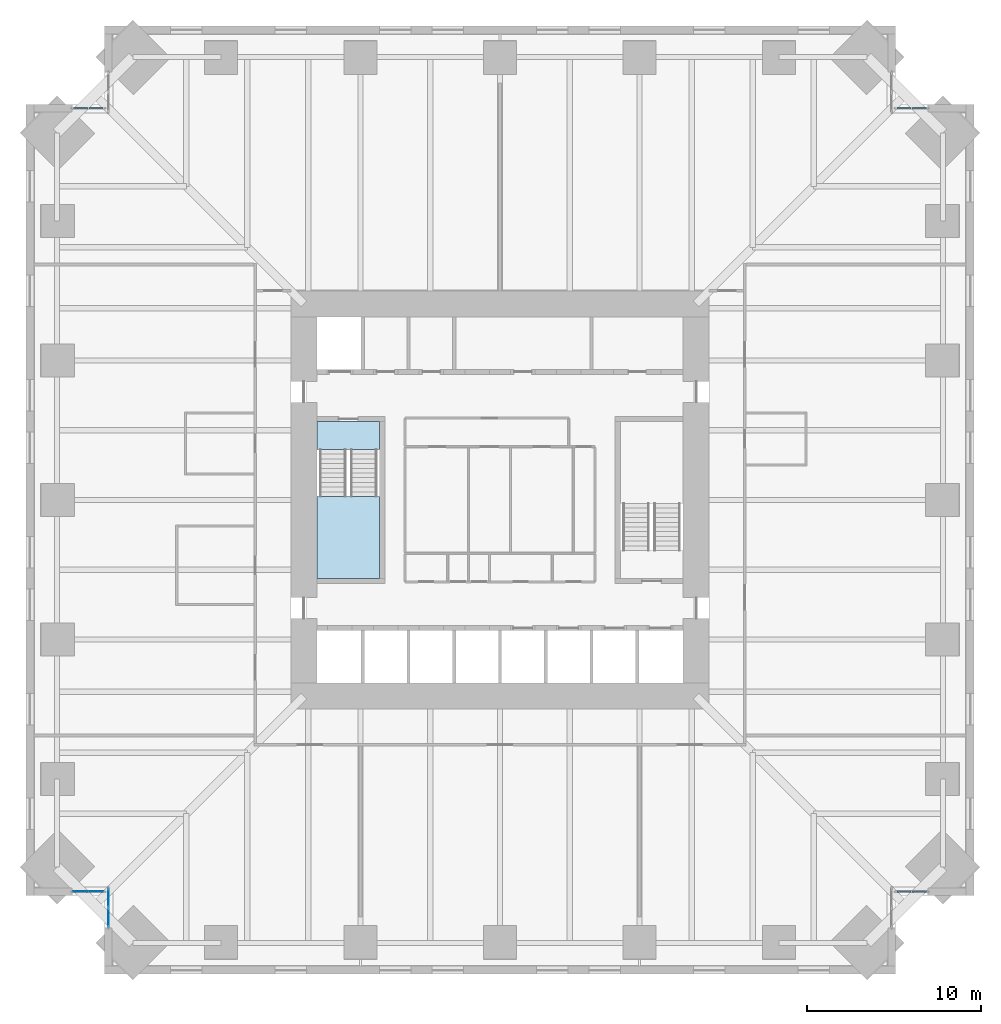
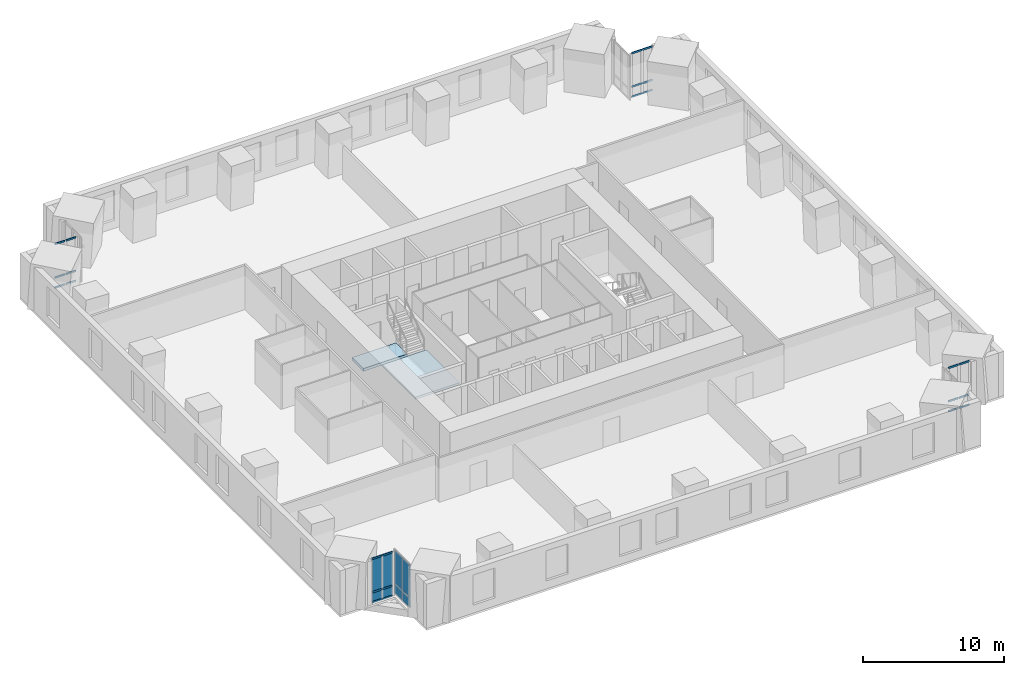
# One storey, part 9 of 16: 24 members, 8 plates, 2 slabs, 6 elements without a shape of their own.
"""IFC4 building model written with IfcOpenShell, lengths in metres."""

from ifc_helpers import new_model, si_unit, direction, frame, origin, origin_2d, place, context, subcontext, project, spatial, polyline, rectangle, hollow_rectangle, outline, extrude, material, layer, layer_set, material_profile, profile_set, type_object, element, aggregate, save


model = new_model("IFC4")

# Units and contexts
model_context = context("Model", 3, precision=1e-05, world=origin(), true_north=direction((0.0, 1.0)))
body_context = subcontext(model_context, "Body", "Model", "MODEL_VIEW")
ifc_project = project(units=[si_unit("LENGTHUNIT", "METRE"), si_unit("AREAUNIT", "SQUARE_METRE"), si_unit("VOLUMEUNIT", "CUBIC_METRE"), si_unit("PLANEANGLEUNIT", "RADIAN"), si_unit("MASSUNIT", "GRAM", prefix="KILO")], contexts=[model_context])

# Site, building, storey
site_placement = place(None, origin())
site = spatial("IfcSite", under=ifc_project, at=site_placement, CompositionType="ELEMENT")
building_placement = place(site_placement, origin())
building = spatial("IfcBuilding", under=site, at=building_placement, Name="Peilmerk Tower", CompositionType="ELEMENT")
storey_placement = place(building_placement, frame((0.0, 0.0, 135.800048828125)))
storey = spatial("IfcBuildingStorey", under=building, at=storey_placement, Name="L27", CompositionType="ELEMENT", Elevation=135.800048828125)

# Curtain wall, members
ifc_material_1 = material(Name="Aluminium stick curtain wall", Category="aluminium")
curtain_wall_type = type_object("IfcCurtainWallType", Name="CW3 stick curtain wall, 2250 module", PredefinedType="NOTDEFINED", material=ifc_material_1)
curtain_wall_1_placement = place(storey_placement, origin())
curtain_wall_1 = element("IfcCurtainWall", 1, at=curtain_wall_1_placement, inside=storey, type_object=curtain_wall_type, Name="Curtain wall CW3 NEB L27", PredefinedType="NOTDEFINED")
ifc_material_2 = material(Name="Aluminium EN AW-6063 T6", Category="aluminium")
ifc_material_profile = material_profile(ifc_material_2, hollow_rectangle(XDim=0.06494140625, YDim=0.14990234375, WallThickness=0.0029296875, at=origin_2d()), Name="AL 150x65x3")
ifc_profile_set = profile_set([ifc_material_profile], Name="Aluminium EN AW-6063 T6")
member_type = type_object("IfcMemberType", Name="CW3-T AL 150x65x3 transom", PredefinedType="USERDEFINED", material=ifc_profile_set)
member_1_placement = place(storey_placement, frame((22.764892578125, 22.47509765625, 0.032470703125), z_axis=(1.0, 0.0, 0.0), x_axis=(0.0, 1.0, 0.0)))
member_1 = element("IfcMember", 2, at=member_1_placement, type_object=member_type, Name="CW3 transom 1.1", ObjectType="TRANSOM", PredefinedType="USERDEFINED", context=body_context, shape_type="SweptSolid", body=[
    extrude(hollow_rectangle(XDim=0.06494140625, YDim=0.14990234375, WallThickness=0.0029296875, at=origin_2d()), origin(), (0.0, 0.0, 1.0), 0.822021484375),
])
member_2_placement = place(storey_placement, frame((22.764892578125, 22.47509765625, 0.89990234375), z_axis=(1.0, 0.0, 0.0), x_axis=(0.0, 1.0, 0.0)))
member_2 = element("IfcMember", 3, at=member_2_placement, type_object=member_type, Name="CW3 transom 1.2", ObjectType="TRANSOM", PredefinedType="USERDEFINED", context=body_context, shape_type="SweptSolid", body=[
    extrude(hollow_rectangle(XDim=0.06494140625, YDim=0.14990234375, WallThickness=0.0029296875, at=origin_2d()), origin(), (0.0, 0.0, 1.0), 0.822021484375),
])
member_3_placement = place(storey_placement, frame((22.764892578125, 22.47509765625, 3.79736328125), z_axis=(1.0, 0.0, 0.0), x_axis=(0.0, 1.0, 0.0)))
member_3 = element("IfcMember", 4, at=member_3_placement, type_object=member_type, Name="CW3 transom 1.3", ObjectType="TRANSOM", PredefinedType="USERDEFINED", context=body_context, shape_type="SweptSolid", body=[
    extrude(hollow_rectangle(XDim=0.06494140625, YDim=0.14990234375, WallThickness=0.0029296875, at=origin_2d()), origin(), (0.0, 0.0, 1.0), 0.822021484375),
])
member_4_placement = place(storey_placement, frame((23.65185546875, 22.47509765625, 0.032470703125), z_axis=(1.0, 0.0, 0.0), x_axis=(0.0, 1.0, 0.0)))
member_4 = element("IfcMember", 5, at=member_4_placement, type_object=member_type, Name="CW3 transom 2.1", ObjectType="TRANSOM", PredefinedType="USERDEFINED", context=body_context, shape_type="SweptSolid", body=[
    extrude(hollow_rectangle(XDim=0.06494140625, YDim=0.14990234375, WallThickness=0.0029296875, at=origin_2d()), origin(), (0.0, 0.0, 1.0), 0.82177734375),
])
member_5_placement = place(storey_placement, frame((23.65185546875, 22.47509765625, 0.89990234375), z_axis=(1.0, 0.0, 0.0), x_axis=(0.0, 1.0, 0.0)))
member_5 = element("IfcMember", 6, at=member_5_placement, type_object=member_type, Name="CW3 transom 2.2", ObjectType="TRANSOM", PredefinedType="USERDEFINED", context=body_context, shape_type="SweptSolid", body=[
    extrude(hollow_rectangle(XDim=0.06494140625, YDim=0.14990234375, WallThickness=0.0029296875, at=origin_2d()), origin(), (0.0, 0.0, 1.0), 0.82177734375),
])
member_6_placement = place(storey_placement, frame((23.65185546875, 22.47509765625, 3.79736328125), z_axis=(1.0, 0.0, 0.0), x_axis=(0.0, 1.0, 0.0)))
member_6 = element("IfcMember", 7, at=member_6_placement, type_object=member_type, Name="CW3 transom 2.3", ObjectType="TRANSOM", PredefinedType="USERDEFINED", context=body_context, shape_type="SweptSolid", body=[
    extrude(hollow_rectangle(XDim=0.06494140625, YDim=0.14990234375, WallThickness=0.0029296875, at=origin_2d()), origin(), (0.0, 0.0, 1.0), 0.82177734375),
])
aggregate(curtain_wall_1, [member_1, member_2, member_3, member_4, member_5, member_6])

curtain_wall_2_placement = place(storey_placement, origin())
curtain_wall_2 = element("IfcCurtainWall", 8, at=curtain_wall_2_placement, inside=storey, type_object=curtain_wall_type, Name="Curtain wall CW3 SEB L27", PredefinedType="NOTDEFINED")
member_7_placement = place(storey_placement, frame((22.764892578125, -22.47509765625, 0.032470703125), z_axis=(1.0, 0.0, 0.0), x_axis=(0.0, 1.0, 0.0)))
member_7 = element("IfcMember", 9, at=member_7_placement, type_object=member_type, Name="CW3 transom 1.1", ObjectType="TRANSOM", PredefinedType="USERDEFINED", context=body_context, shape_type="SweptSolid", body=[
    extrude(hollow_rectangle(XDim=0.06494140625, YDim=0.14990234375, WallThickness=0.0029296875, at=origin_2d()), origin(), (0.0, 0.0, 1.0), 0.822021484375),
])
member_8_placement = place(storey_placement, frame((22.764892578125, -22.47509765625, 0.89990234375), z_axis=(1.0, 0.0, 0.0), x_axis=(0.0, 1.0, 0.0)))
member_8 = element("IfcMember", 10, at=member_8_placement, type_object=member_type, Name="CW3 transom 1.2", ObjectType="TRANSOM", PredefinedType="USERDEFINED", context=body_context, shape_type="SweptSolid", body=[
    extrude(hollow_rectangle(XDim=0.06494140625, YDim=0.14990234375, WallThickness=0.0029296875, at=origin_2d()), origin(), (0.0, 0.0, 1.0), 0.822021484375),
])
member_9_placement = place(storey_placement, frame((22.764892578125, -22.47509765625, 3.79736328125), z_axis=(1.0, 0.0, 0.0), x_axis=(0.0, 1.0, 0.0)))
member_9 = element("IfcMember", 11, at=member_9_placement, type_object=member_type, Name="CW3 transom 1.3", ObjectType="TRANSOM", PredefinedType="USERDEFINED", context=body_context, shape_type="SweptSolid", body=[
    extrude(hollow_rectangle(XDim=0.06494140625, YDim=0.14990234375, WallThickness=0.0029296875, at=origin_2d()), origin(), (0.0, 0.0, 1.0), 0.822021484375),
])
member_10_placement = place(storey_placement, frame((23.65185546875, -22.47509765625, 0.032470703125), z_axis=(1.0, 0.0, 0.0), x_axis=(0.0, 1.0, 0.0)))
member_10 = element("IfcMember", 12, at=member_10_placement, type_object=member_type, Name="CW3 transom 2.1", ObjectType="TRANSOM", PredefinedType="USERDEFINED", context=body_context, shape_type="SweptSolid", body=[
    extrude(hollow_rectangle(XDim=0.06494140625, YDim=0.14990234375, WallThickness=0.0029296875, at=origin_2d()), origin(), (0.0, 0.0, 1.0), 0.82177734375),
])
member_11_placement = place(storey_placement, frame((23.65185546875, -22.47509765625, 0.89990234375), z_axis=(1.0, 0.0, 0.0), x_axis=(0.0, 1.0, 0.0)))
member_11 = element("IfcMember", 13, at=member_11_placement, type_object=member_type, Name="CW3 transom 2.2", ObjectType="TRANSOM", PredefinedType="USERDEFINED", context=body_context, shape_type="SweptSolid", body=[
    extrude(hollow_rectangle(XDim=0.06494140625, YDim=0.14990234375, WallThickness=0.0029296875, at=origin_2d()), origin(), (0.0, 0.0, 1.0), 0.82177734375),
])
member_12_placement = place(storey_placement, frame((23.65185546875, -22.47509765625, 3.79736328125), z_axis=(1.0, 0.0, 0.0), x_axis=(0.0, 1.0, 0.0)))
member_12 = element("IfcMember", 14, at=member_12_placement, type_object=member_type, Name="CW3 transom 2.3", ObjectType="TRANSOM", PredefinedType="USERDEFINED", context=body_context, shape_type="SweptSolid", body=[
    extrude(hollow_rectangle(XDim=0.06494140625, YDim=0.14990234375, WallThickness=0.0029296875, at=origin_2d()), origin(), (0.0, 0.0, 1.0), 0.82177734375),
])
aggregate(curtain_wall_2, [member_7, member_8, member_9, member_10, member_11, member_12])

curtain_wall_3_placement = place(storey_placement, origin())
curtain_wall_3 = element("IfcCurtainWall", 15, at=curtain_wall_3_placement, inside=storey, type_object=curtain_wall_type, Name="Curtain wall CW3 SWB L27", PredefinedType="NOTDEFINED")
member_13_placement = place(storey_placement, frame((-22.764892578125, -22.47509765625, 0.032470703125), z_axis=(-1.0, 0.0, 0.0), x_axis=(0.0, -1.0, 0.0)))
member_13 = element("IfcMember", 16, at=member_13_placement, type_object=member_type, Name="CW3 transom 1.1", ObjectType="TRANSOM", PredefinedType="USERDEFINED", context=body_context, shape_type="SweptSolid", body=[
    extrude(hollow_rectangle(XDim=0.06494140625, YDim=0.14990234375, WallThickness=0.0029296875, at=origin_2d()), origin(), (0.0, 0.0, 1.0), 0.822021484375),
])
member_14_placement = place(storey_placement, frame((-22.764892578125, -22.47509765625, 0.89990234375), z_axis=(-1.0, 0.0, 0.0), x_axis=(0.0, -1.0, 0.0)))
member_14 = element("IfcMember", 17, at=member_14_placement, type_object=member_type, Name="CW3 transom 1.2", ObjectType="TRANSOM", PredefinedType="USERDEFINED", context=body_context, shape_type="SweptSolid", body=[
    extrude(hollow_rectangle(XDim=0.06494140625, YDim=0.14990234375, WallThickness=0.0029296875, at=origin_2d()), origin(), (0.0, 0.0, 1.0), 0.822021484375),
])
member_15_placement = place(storey_placement, frame((-22.764892578125, -22.47509765625, 3.79736328125), z_axis=(-1.0, 0.0, 0.0), x_axis=(0.0, -1.0, 0.0)))
member_15 = element("IfcMember", 18, at=member_15_placement, type_object=member_type, Name="CW3 transom 1.3", ObjectType="TRANSOM", PredefinedType="USERDEFINED", context=body_context, shape_type="SweptSolid", body=[
    extrude(hollow_rectangle(XDim=0.06494140625, YDim=0.14990234375, WallThickness=0.0029296875, at=origin_2d()), origin(), (0.0, 0.0, 1.0), 0.822021484375),
])
member_16_placement = place(storey_placement, frame((-23.65185546875, -22.47509765625, 0.032470703125), z_axis=(-1.0, 0.0, 0.0), x_axis=(0.0, -1.0, 0.0)))
member_16 = element("IfcMember", 19, at=member_16_placement, type_object=member_type, Name="CW3 transom 2.1", ObjectType="TRANSOM", PredefinedType="USERDEFINED", context=body_context, shape_type="SweptSolid", body=[
    extrude(hollow_rectangle(XDim=0.06494140625, YDim=0.14990234375, WallThickness=0.0029296875, at=origin_2d()), origin(), (0.0, 0.0, 1.0), 0.82177734375),
])
member_17_placement = place(storey_placement, frame((-23.65185546875, -22.47509765625, 0.89990234375), z_axis=(-1.0, 0.0, 0.0), x_axis=(0.0, -1.0, 0.0)))
member_17 = element("IfcMember", 20, at=member_17_placement, type_object=member_type, Name="CW3 transom 2.2", ObjectType="TRANSOM", PredefinedType="USERDEFINED", context=body_context, shape_type="SweptSolid", body=[
    extrude(hollow_rectangle(XDim=0.06494140625, YDim=0.14990234375, WallThickness=0.0029296875, at=origin_2d()), origin(), (0.0, 0.0, 1.0), 0.82177734375),
])
member_18_placement = place(storey_placement, frame((-23.65185546875, -22.47509765625, 3.79736328125), z_axis=(-1.0, 0.0, 0.0), x_axis=(0.0, -1.0, 0.0)))
member_18 = element("IfcMember", 21, at=member_18_placement, type_object=member_type, Name="CW3 transom 2.3", ObjectType="TRANSOM", PredefinedType="USERDEFINED", context=body_context, shape_type="SweptSolid", body=[
    extrude(hollow_rectangle(XDim=0.06494140625, YDim=0.14990234375, WallThickness=0.0029296875, at=origin_2d()), origin(), (0.0, 0.0, 1.0), 0.82177734375),
])

curtain_wall_4_placement = place(storey_placement, origin())
curtain_wall_4 = element("IfcCurtainWall", 22, at=curtain_wall_4_placement, inside=storey, type_object=curtain_wall_type, Name="Curtain wall CW3 NWB L27", PredefinedType="NOTDEFINED")
member_19_placement = place(storey_placement, frame((-22.764892578125, 22.47509765625, 0.032470703125), z_axis=(-1.0, 0.0, 0.0), x_axis=(0.0, -1.0, 0.0)))
member_19 = element("IfcMember", 23, at=member_19_placement, type_object=member_type, Name="CW3 transom 1.1", ObjectType="TRANSOM", PredefinedType="USERDEFINED", context=body_context, shape_type="SweptSolid", body=[
    extrude(hollow_rectangle(XDim=0.06494140625, YDim=0.14990234375, WallThickness=0.0029296875, at=origin_2d()), origin(), (0.0, 0.0, 1.0), 0.822021484375),
])
member_20_placement = place(storey_placement, frame((-22.764892578125, 22.47509765625, 0.89990234375), z_axis=(-1.0, 0.0, 0.0), x_axis=(0.0, -1.0, 0.0)))
member_20 = element("IfcMember", 24, at=member_20_placement, type_object=member_type, Name="CW3 transom 1.2", ObjectType="TRANSOM", PredefinedType="USERDEFINED", context=body_context, shape_type="SweptSolid", body=[
    extrude(hollow_rectangle(XDim=0.06494140625, YDim=0.14990234375, WallThickness=0.0029296875, at=origin_2d()), origin(), (0.0, 0.0, 1.0), 0.822021484375),
])
member_21_placement = place(storey_placement, frame((-22.764892578125, 22.47509765625, 3.79736328125), z_axis=(-1.0, 0.0, 0.0), x_axis=(0.0, -1.0, 0.0)))
member_21 = element("IfcMember", 25, at=member_21_placement, type_object=member_type, Name="CW3 transom 1.3", ObjectType="TRANSOM", PredefinedType="USERDEFINED", context=body_context, shape_type="SweptSolid", body=[
    extrude(hollow_rectangle(XDim=0.06494140625, YDim=0.14990234375, WallThickness=0.0029296875, at=origin_2d()), origin(), (0.0, 0.0, 1.0), 0.822021484375),
])
member_22_placement = place(storey_placement, frame((-23.65185546875, 22.47509765625, 0.032470703125), z_axis=(-1.0, 0.0, 0.0), x_axis=(0.0, -1.0, 0.0)))
member_22 = element("IfcMember", 26, at=member_22_placement, type_object=member_type, Name="CW3 transom 2.1", ObjectType="TRANSOM", PredefinedType="USERDEFINED", context=body_context, shape_type="SweptSolid", body=[
    extrude(hollow_rectangle(XDim=0.06494140625, YDim=0.14990234375, WallThickness=0.0029296875, at=origin_2d()), origin(), (0.0, 0.0, 1.0), 0.82177734375),
])
member_23_placement = place(storey_placement, frame((-23.65185546875, 22.47509765625, 0.89990234375), z_axis=(-1.0, 0.0, 0.0), x_axis=(0.0, -1.0, 0.0)))
member_23 = element("IfcMember", 27, at=member_23_placement, type_object=member_type, Name="CW3 transom 2.2", ObjectType="TRANSOM", PredefinedType="USERDEFINED", context=body_context, shape_type="SweptSolid", body=[
    extrude(hollow_rectangle(XDim=0.06494140625, YDim=0.14990234375, WallThickness=0.0029296875, at=origin_2d()), origin(), (0.0, 0.0, 1.0), 0.82177734375),
])
member_24_placement = place(storey_placement, frame((-23.65185546875, 22.47509765625, 3.79736328125), z_axis=(-1.0, 0.0, 0.0), x_axis=(0.0, -1.0, 0.0)))
member_24 = element("IfcMember", 28, at=member_24_placement, type_object=member_type, Name="CW3 transom 2.3", ObjectType="TRANSOM", PredefinedType="USERDEFINED", context=body_context, shape_type="SweptSolid", body=[
    extrude(hollow_rectangle(XDim=0.06494140625, YDim=0.14990234375, WallThickness=0.0029296875, at=origin_2d()), origin(), (0.0, 0.0, 1.0), 0.82177734375),
])
aggregate(curtain_wall_4, [member_19, member_20, member_21, member_22, member_23, member_24])

# Curtain wall, plates
curtain_wall_5_placement = place(storey_placement, origin())
curtain_wall_5 = element("IfcCurtainWall", 29, at=curtain_wall_5_placement, inside=storey, type_object=curtain_wall_type, Name="Curtain wall CW3 SWA L27", PredefinedType="NOTDEFINED")
ifc_material_3 = material(Name="Clear insulated glazing unit", Category="glass")
ifc_layer_1 = layer(ifc_material_3, 0.028076171875)
ifc_layer_set_1 = layer_set([ifc_layer_1], Name="Clear insulated glazing unit")
plate_type = type_object("IfcPlateType", Name="CW3-P 28 glazed panel", PredefinedType="CURTAIN_PANEL", material=ifc_layer_set_1)
plate_1_placement = place(storey_placement, frame((-22.47509765625, -22.83837890625, 0.06494140625), z_axis=(0.0, 0.0, 1.0), x_axis=(0.0, -1.0, 0.0)))
plate_1 = element("IfcPlate", 30, at=plate_1_placement, type_object=plate_type, Name="CW3 panel 1.1", PredefinedType="CURTAIN_PANEL", context=body_context, shape_type="SweptSolid", body=[
    extrude(rectangle(XDim=1.046875, YDim=0.028076171875, at=origin_2d()), origin(), (0.0, 0.0, 1.0), 0.802490234375),
])
plate_2_placement = place(storey_placement, frame((-22.47509765625, -22.83837890625, 0.932373046875), z_axis=(0.0, 0.0, 1.0), x_axis=(0.0, -1.0, 0.0)))
plate_2 = element("IfcPlate", 31, at=plate_2_placement, type_object=plate_type, Name="CW3 panel 1.2", PredefinedType="CURTAIN_PANEL", context=body_context, shape_type="SweptSolid", body=[
    extrude(rectangle(XDim=1.046875, YDim=0.028076171875, at=origin_2d()), origin(), (0.0, 0.0, 1.0), 2.83251953125),
])
plate_3_placement = place(storey_placement, frame((-22.47509765625, -23.9501953125, 0.06494140625), z_axis=(0.0, 0.0, 1.0), x_axis=(0.0, -1.0, 0.0)))
plate_3 = element("IfcPlate", 32, at=plate_3_placement, type_object=plate_type, Name="CW3 panel 2.1", PredefinedType="CURTAIN_PANEL", context=body_context, shape_type="SweptSolid", body=[
    extrude(rectangle(XDim=1.046875, YDim=0.028076171875, at=origin_2d()), origin(), (0.0, 0.0, 1.0), 0.802490234375),
])
plate_4_placement = place(storey_placement, frame((-22.47509765625, -23.9501953125, 0.932373046875), z_axis=(0.0, 0.0, 1.0), x_axis=(0.0, -1.0, 0.0)))
plate_4 = element("IfcPlate", 33, at=plate_4_placement, type_object=plate_type, Name="CW3 panel 2.2", PredefinedType="CURTAIN_PANEL", context=body_context, shape_type="SweptSolid", body=[
    extrude(rectangle(XDim=1.046875, YDim=0.028076171875, at=origin_2d()), origin(), (0.0, 0.0, 1.0), 2.83251953125),
])
aggregate(curtain_wall_5, [plate_1, plate_2, plate_3, plate_4])

# Plate
plate_5_placement = place(storey_placement, frame((-23.176025390625, -22.47509765625, 0.06494140625), z_axis=(0.0, 0.0, 1.0), x_axis=(-1.0, 0.0, 0.0)))
plate_5 = element("IfcPlate", 34, at=plate_5_placement, type_object=plate_type, Name="CW3 panel 1.1", PredefinedType="CURTAIN_PANEL", context=body_context, shape_type="SweptSolid", body=[
    extrude(rectangle(XDim=0.82177734375, YDim=0.028076171875, at=origin_2d()), origin(), (0.0, 0.0, 1.0), 0.802490234375),
])

plate_6_placement = place(storey_placement, frame((-23.176025390625, -22.47509765625, 0.932373046875), z_axis=(0.0, 0.0, 1.0), x_axis=(-1.0, 0.0, 0.0)))
plate_6 = element("IfcPlate", 35, at=plate_6_placement, type_object=plate_type, Name="CW3 panel 1.2", PredefinedType="CURTAIN_PANEL", context=body_context, shape_type="SweptSolid", body=[
    extrude(rectangle(XDim=0.82177734375, YDim=0.028076171875, at=origin_2d()), origin(), (0.0, 0.0, 1.0), 2.83251953125),
])

plate_7_placement = place(storey_placement, frame((-24.062744140625, -22.47509765625, 0.06494140625), z_axis=(0.0, 0.0, 1.0), x_axis=(-1.0, 0.0, 0.0)))
plate_7 = element("IfcPlate", 36, at=plate_7_placement, type_object=plate_type, Name="CW3 panel 2.1", PredefinedType="CURTAIN_PANEL", context=body_context, shape_type="SweptSolid", body=[
    extrude(rectangle(XDim=0.82177734375, YDim=0.028076171875, at=origin_2d()), origin(), (0.0, 0.0, 1.0), 0.802490234375),
])

plate_8_placement = place(storey_placement, frame((-24.062744140625, -22.47509765625, 0.932373046875), z_axis=(0.0, 0.0, 1.0), x_axis=(-1.0, 0.0, 0.0)))
plate_8 = element("IfcPlate", 37, at=plate_8_placement, type_object=plate_type, Name="CW3 panel 2.2", PredefinedType="CURTAIN_PANEL", context=body_context, shape_type="SweptSolid", body=[
    extrude(rectangle(XDim=0.82177734375, YDim=0.028076171875, at=origin_2d()), origin(), (0.0, 0.0, 1.0), 2.83251953125),
])

aggregate(curtain_wall_3, [member_13, member_14, member_15, plate_5, plate_6, member_16, member_17, member_18, plate_7, plate_8])

# Stair, slabs
ifc_material_4 = material(Name="Precast concrete C45/55", Category="concrete")
stair_type = type_object("IfcStairType", Name="ST1 22 risers of 181.8", PredefinedType="HALF_TURN_STAIR", material=ifc_material_4)
stair_placement = place(storey_placement, origin())
stair = element("IfcStair", 38, at=stair_placement, inside=storey, type_object=stair_type, Name="Stair 1 L27 to L28", PredefinedType="HALF_TURN_STAIR")
ifc_material_5 = material(Name="Concrete C35/45", Category="concrete")
ifc_layer_2 = layer(ifc_material_5, 0.199951171875)
ifc_layer_set_2 = layer_set([ifc_layer_2], Name="Concrete C35/45")
slab_type_1 = type_object("IfcSlabType", Name="SL1 200 concrete stair landing", PredefinedType="LANDING", material=ifc_layer_set_2)
slab_1_placement = place(storey_placement, frame((0.0, 0.0, 1.800048828125)))
slab_1 = element("IfcSlab", 39, at=slab_1_placement, type_object=slab_type_1, Name="ST1 landing 1", PredefinedType="LANDING", context=body_context, shape_type="SweptSolid", body=[
    extrude(outline(polyline([(-10.5, -4.5), (-6.89990234375, -4.5), (-6.89990234375, 0.199951171875), (-10.5, 0.199951171875), (-10.5, -4.5)])), origin(), (0.0, 0.0, 1.0), 0.199951171875),
])
ifc_layer_3 = layer(ifc_material_5, 0.25)
ifc_layer_set_3 = layer_set([ifc_layer_3], Name="Concrete C35/45")
slab_type_2 = type_object("IfcSlabType", Name="SL2 250 concrete floor landing", PredefinedType="LANDING", material=ifc_layer_set_3)
slab_2_placement = place(storey_placement, frame((0.0, 0.0, -0.25)))
slab_2 = element("IfcSlab", 40, at=slab_2_placement, type_object=slab_type_2, Name="ST1 floor landing", PredefinedType="LANDING", context=body_context, shape_type="SweptSolid", body=[
    extrude(outline(polyline([(-10.5, 2.89990234375), (-6.89990234375, 2.89990234375), (-6.89990234375, 4.5), (-10.5, 4.5), (-10.5, 2.89990234375)])), origin(), (0.0, 0.0, 1.0), 0.25),
])
aggregate(stair, [slab_1, slab_2])

save(model, "model.ifc")
